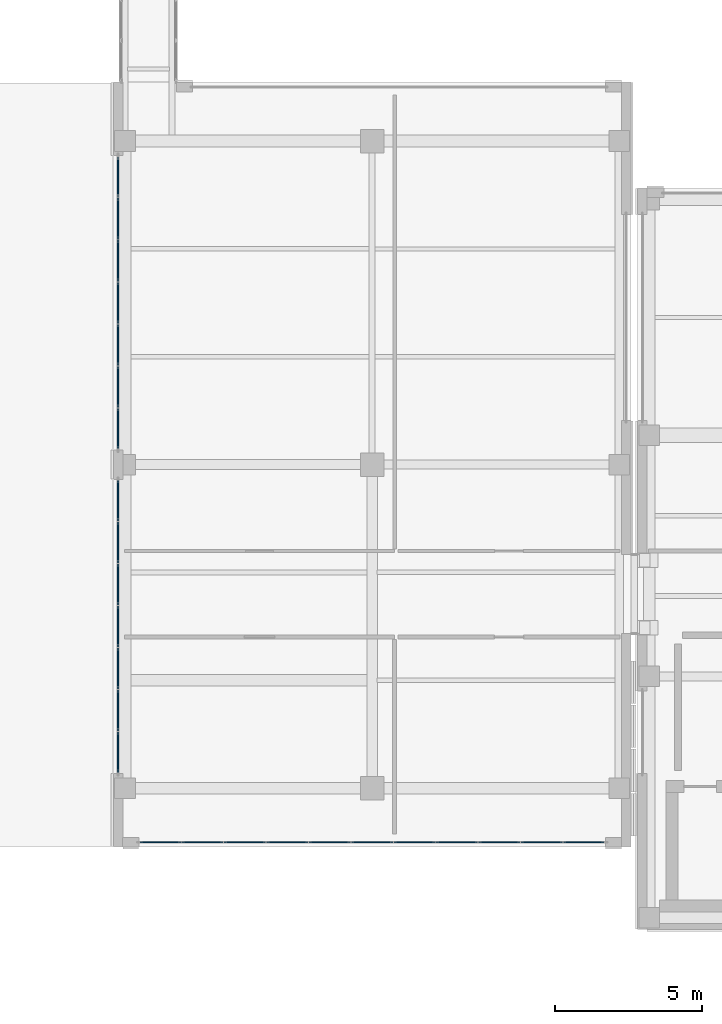
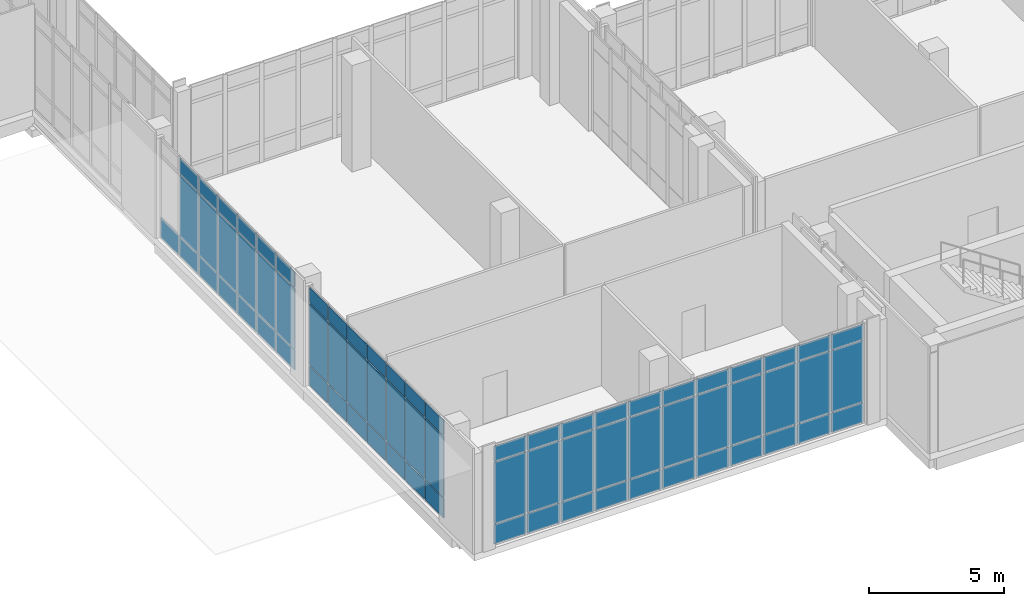
# One storey, part 129 of 189: 73 plates, 3 elements without a shape of their own.
"""IFC4 building model written with IfcOpenShell, lengths in metres."""

from ifc_helpers import new_model, si_unit, direction, frame, origin, origin_2d, place, context, subcontext, project, spatial, rectangle, extrude, material, layer, layer_set, type_object, element, aggregate, save


model = new_model("IFC4")

# Units and contexts
model_context = context("Model", 3, precision=1e-05, world=origin(), true_north=direction((0.0, 1.0)))
body_context = subcontext(model_context, "Body", "Model", "MODEL_VIEW")
ifc_project = project(units=[si_unit("LENGTHUNIT", "METRE"), si_unit("AREAUNIT", "SQUARE_METRE"), si_unit("VOLUMEUNIT", "CUBIC_METRE"), si_unit("PLANEANGLEUNIT", "RADIAN"), si_unit("MASSUNIT", "GRAM", prefix="KILO")], contexts=[model_context])

# Site, building, storey
site_placement = place(None, origin())
site = spatial("IfcSite", under=ifc_project, at=site_placement, CompositionType="ELEMENT")
building_placement = place(site_placement, origin())
building = spatial("IfcBuilding", under=site, at=building_placement, Name="Qalavern Law Courts", CompositionType="ELEMENT")
storey_placement = place(building_placement, frame((0.0, 0.0, 5.39990234375)))
storey = spatial("IfcBuildingStorey", under=building, at=storey_placement, Name="L01", CompositionType="ELEMENT", Elevation=5.39990234375)

# Curtain wall, plates
ifc_material_1 = material(Name="Anodised aluminium and insulated glazing", Category="aluminium")
ifc_layer_1 = layer(ifc_material_1, 0.199951171875)
ifc_layer_set_1 = layer_set([ifc_layer_1], Name="Anodised aluminium and insulated glazing")
curtain_wall_type = type_object("IfcCurtainWallType", Name="ENV-CW-FOYER", PredefinedType="USERDEFINED", material=ifc_layer_set_1)
curtain_wall_1_placement = place(storey_placement, origin())
curtain_wall_1 = element("IfcCurtainWall", 1, at=curtain_wall_1_placement, inside=storey, type_object=curtain_wall_type, Name="V1 unitised curtain wall L01 south 1", ObjectType="UNITISED CURTAIN WALL", PredefinedType="USERDEFINED")
ifc_material_2 = material(Name="Insulated low-E acoustic glazing", Category="glass")
ifc_layer_2 = layer(ifc_material_2, 0.0439453125)
ifc_layer_set_2 = layer_set([ifc_layer_2], Name="Insulated low-E acoustic glazing")
plate_type_1 = type_object("IfcPlateType", Name="ENV-CWP-44", PredefinedType="CURTAIN_PANEL", material=ifc_layer_set_2)
plate_1_placement = place(storey_placement, frame((18.0029296875, 8.16259765625, 0.048095703125), z_axis=(0.0, 0.0, 1.0), x_axis=(1.0, 0.0, 0.0)))
plate_1 = element("IfcPlate", 2, at=plate_1_placement, type_object=plate_type_1, Name="CW-01 panel 1.1", PredefinedType="CURTAIN_PANEL", context=body_context, shape_type="SweptSolid", body=[
    extrude(rectangle(XDim=1.369873046875, YDim=0.0439453125, at=origin_2d()), origin(), (0.0, 0.0, 1.0), 0.8779296875),
])
plate_2_placement = place(storey_placement, frame((18.0029296875, 8.16259765625, 0.97412109375), z_axis=(0.0, 0.0, 1.0), x_axis=(1.0, 0.0, 0.0)))
plate_2 = element("IfcPlate", 3, at=plate_2_placement, type_object=plate_type_1, Name="CW-01 panel 1.2", PredefinedType="CURTAIN_PANEL", context=body_context, shape_type="SweptSolid", body=[
    extrude(rectangle(XDim=1.369873046875, YDim=0.0439453125, at=origin_2d()), origin(), (0.0, 0.0, 1.0), 2.761962890625),
])
plate_3_placement = place(storey_placement, frame((18.0029296875, 8.16259765625, 3.7841796875), z_axis=(0.0, 0.0, 1.0), x_axis=(1.0, 0.0, 0.0)))
plate_3 = element("IfcPlate", 4, at=plate_3_placement, type_object=plate_type_1, Name="CW-01 panel 1.3", PredefinedType="CURTAIN_PANEL", context=body_context, shape_type="SweptSolid", body=[
    extrude(rectangle(XDim=1.369873046875, YDim=0.0439453125, at=origin_2d()), origin(), (0.0, 0.0, 1.0), 0.677978515625),
])
plate_4_placement = place(storey_placement, frame((19.4326171875, 8.16259765625, 0.048095703125), z_axis=(0.0, 0.0, 1.0), x_axis=(1.0, 0.0, 0.0)))
plate_4 = element("IfcPlate", 5, at=plate_4_placement, type_object=plate_type_1, Name="CW-01 panel 2.1", PredefinedType="CURTAIN_PANEL", context=body_context, shape_type="SweptSolid", body=[
    extrude(rectangle(XDim=1.393798828125, YDim=0.0439453125, at=origin_2d()), origin(), (0.0, 0.0, 1.0), 0.8779296875),
])
plate_5_placement = place(storey_placement, frame((19.4326171875, 8.16259765625, 0.97412109375), z_axis=(0.0, 0.0, 1.0), x_axis=(1.0, 0.0, 0.0)))
plate_5 = element("IfcPlate", 6, at=plate_5_placement, type_object=plate_type_1, Name="CW-01 panel 2.2", PredefinedType="CURTAIN_PANEL", context=body_context, shape_type="SweptSolid", body=[
    extrude(rectangle(XDim=1.393798828125, YDim=0.0439453125, at=origin_2d()), origin(), (0.0, 0.0, 1.0), 2.761962890625),
])
plate_6_placement = place(storey_placement, frame((19.4326171875, 8.16259765625, 3.7841796875), z_axis=(0.0, 0.0, 1.0), x_axis=(1.0, 0.0, 0.0)))
plate_6 = element("IfcPlate", 7, at=plate_6_placement, type_object=plate_type_1, Name="CW-01 panel 2.3", PredefinedType="CURTAIN_PANEL", context=body_context, shape_type="SweptSolid", body=[
    extrude(rectangle(XDim=1.393798828125, YDim=0.0439453125, at=origin_2d()), origin(), (0.0, 0.0, 1.0), 0.677978515625),
])
plate_7_placement = place(storey_placement, frame((20.87451171875, 8.16259765625, 0.048095703125), z_axis=(0.0, 0.0, 1.0), x_axis=(1.0, 0.0, 0.0)))
plate_7 = element("IfcPlate", 8, at=plate_7_placement, type_object=plate_type_1, Name="CW-01 panel 3.1", PredefinedType="CURTAIN_PANEL", context=body_context, shape_type="SweptSolid", body=[
    extrude(rectangle(XDim=1.393798828125, YDim=0.0439453125, at=origin_2d()), origin(), (0.0, 0.0, 1.0), 0.8779296875),
])
plate_8_placement = place(storey_placement, frame((20.87451171875, 8.16259765625, 0.97412109375), z_axis=(0.0, 0.0, 1.0), x_axis=(1.0, 0.0, 0.0)))
plate_8 = element("IfcPlate", 9, at=plate_8_placement, type_object=plate_type_1, Name="CW-01 panel 3.2", PredefinedType="CURTAIN_PANEL", context=body_context, shape_type="SweptSolid", body=[
    extrude(rectangle(XDim=1.393798828125, YDim=0.0439453125, at=origin_2d()), origin(), (0.0, 0.0, 1.0), 2.761962890625),
])
plate_9_placement = place(storey_placement, frame((20.87451171875, 8.16259765625, 3.7841796875), z_axis=(0.0, 0.0, 1.0), x_axis=(1.0, 0.0, 0.0)))
plate_9 = element("IfcPlate", 10, at=plate_9_placement, type_object=plate_type_1, Name="CW-01 panel 3.3", PredefinedType="CURTAIN_PANEL", context=body_context, shape_type="SweptSolid", body=[
    extrude(rectangle(XDim=1.393798828125, YDim=0.0439453125, at=origin_2d()), origin(), (0.0, 0.0, 1.0), 0.677978515625),
])
plate_10_placement = place(storey_placement, frame((22.31640625, 8.16259765625, 0.048095703125), z_axis=(0.0, 0.0, 1.0), x_axis=(1.0, 0.0, 0.0)))
plate_10 = element("IfcPlate", 11, at=plate_10_placement, type_object=plate_type_1, Name="CW-01 panel 4.1", PredefinedType="CURTAIN_PANEL", context=body_context, shape_type="SweptSolid", body=[
    extrude(rectangle(XDim=1.393798828125, YDim=0.0439453125, at=origin_2d()), origin(), (0.0, 0.0, 1.0), 0.8779296875),
])
plate_11_placement = place(storey_placement, frame((22.31640625, 8.16259765625, 0.97412109375), z_axis=(0.0, 0.0, 1.0), x_axis=(1.0, 0.0, 0.0)))
plate_11 = element("IfcPlate", 12, at=plate_11_placement, type_object=plate_type_1, Name="CW-01 panel 4.2", PredefinedType="CURTAIN_PANEL", context=body_context, shape_type="SweptSolid", body=[
    extrude(rectangle(XDim=1.393798828125, YDim=0.0439453125, at=origin_2d()), origin(), (0.0, 0.0, 1.0), 2.761962890625),
])
plate_12_placement = place(storey_placement, frame((22.31640625, 8.16259765625, 3.7841796875), z_axis=(0.0, 0.0, 1.0), x_axis=(1.0, 0.0, 0.0)))
plate_12 = element("IfcPlate", 13, at=plate_12_placement, type_object=plate_type_1, Name="CW-01 panel 4.3", PredefinedType="CURTAIN_PANEL", context=body_context, shape_type="SweptSolid", body=[
    extrude(rectangle(XDim=1.393798828125, YDim=0.0439453125, at=origin_2d()), origin(), (0.0, 0.0, 1.0), 0.677978515625),
])
plate_13_placement = place(storey_placement, frame((23.75830078125, 8.16259765625, 0.048095703125), z_axis=(0.0, 0.0, 1.0), x_axis=(1.0, 0.0, 0.0)))
plate_13 = element("IfcPlate", 14, at=plate_13_placement, type_object=plate_type_1, Name="CW-01 panel 5.1", PredefinedType="CURTAIN_PANEL", context=body_context, shape_type="SweptSolid", body=[
    extrude(rectangle(XDim=1.393798828125, YDim=0.0439453125, at=origin_2d()), origin(), (0.0, 0.0, 1.0), 0.8779296875),
])
plate_14_placement = place(storey_placement, frame((23.75830078125, 8.16259765625, 0.97412109375), z_axis=(0.0, 0.0, 1.0), x_axis=(1.0, 0.0, 0.0)))
plate_14 = element("IfcPlate", 15, at=plate_14_placement, type_object=plate_type_1, Name="CW-01 panel 5.2", PredefinedType="CURTAIN_PANEL", context=body_context, shape_type="SweptSolid", body=[
    extrude(rectangle(XDim=1.393798828125, YDim=0.0439453125, at=origin_2d()), origin(), (0.0, 0.0, 1.0), 2.761962890625),
])
plate_15_placement = place(storey_placement, frame((23.75830078125, 8.16259765625, 3.7841796875), z_axis=(0.0, 0.0, 1.0), x_axis=(1.0, 0.0, 0.0)))
plate_15 = element("IfcPlate", 16, at=plate_15_placement, type_object=plate_type_1, Name="CW-01 panel 5.3", PredefinedType="CURTAIN_PANEL", context=body_context, shape_type="SweptSolid", body=[
    extrude(rectangle(XDim=1.393798828125, YDim=0.0439453125, at=origin_2d()), origin(), (0.0, 0.0, 1.0), 0.677978515625),
])
plate_16_placement = place(storey_placement, frame((25.199951171875, 8.16259765625, 0.048095703125), z_axis=(0.0, 0.0, 1.0), x_axis=(1.0, 0.0, 0.0)))
plate_16 = element("IfcPlate", 17, at=plate_16_placement, type_object=plate_type_1, Name="CW-01 panel 6.1", PredefinedType="CURTAIN_PANEL", context=body_context, shape_type="SweptSolid", body=[
    extrude(rectangle(XDim=1.393798828125, YDim=0.0439453125, at=origin_2d()), origin(), (0.0, 0.0, 1.0), 0.8779296875),
])
plate_17_placement = place(storey_placement, frame((25.199951171875, 8.16259765625, 0.97412109375), z_axis=(0.0, 0.0, 1.0), x_axis=(1.0, 0.0, 0.0)))
plate_17 = element("IfcPlate", 18, at=plate_17_placement, type_object=plate_type_1, Name="CW-01 panel 6.2", PredefinedType="CURTAIN_PANEL", context=body_context, shape_type="SweptSolid", body=[
    extrude(rectangle(XDim=1.393798828125, YDim=0.0439453125, at=origin_2d()), origin(), (0.0, 0.0, 1.0), 2.761962890625),
])
plate_18_placement = place(storey_placement, frame((25.199951171875, 8.16259765625, 3.7841796875), z_axis=(0.0, 0.0, 1.0), x_axis=(1.0, 0.0, 0.0)))
plate_18 = element("IfcPlate", 19, at=plate_18_placement, type_object=plate_type_1, Name="CW-01 panel 6.3", PredefinedType="CURTAIN_PANEL", context=body_context, shape_type="SweptSolid", body=[
    extrude(rectangle(XDim=1.393798828125, YDim=0.0439453125, at=origin_2d()), origin(), (0.0, 0.0, 1.0), 0.677978515625),
])
plate_19_placement = place(storey_placement, frame((26.641845703125, 8.16259765625, 0.048095703125), z_axis=(0.0, 0.0, 1.0), x_axis=(1.0, 0.0, 0.0)))
plate_19 = element("IfcPlate", 20, at=plate_19_placement, type_object=plate_type_1, Name="CW-01 panel 7.1", PredefinedType="CURTAIN_PANEL", context=body_context, shape_type="SweptSolid", body=[
    extrude(rectangle(XDim=1.393798828125, YDim=0.0439453125, at=origin_2d()), origin(), (0.0, 0.0, 1.0), 0.8779296875),
])
plate_20_placement = place(storey_placement, frame((26.641845703125, 8.16259765625, 0.97412109375), z_axis=(0.0, 0.0, 1.0), x_axis=(1.0, 0.0, 0.0)))
plate_20 = element("IfcPlate", 21, at=plate_20_placement, type_object=plate_type_1, Name="CW-01 panel 7.2", PredefinedType="CURTAIN_PANEL", context=body_context, shape_type="SweptSolid", body=[
    extrude(rectangle(XDim=1.393798828125, YDim=0.0439453125, at=origin_2d()), origin(), (0.0, 0.0, 1.0), 2.761962890625),
])
plate_21_placement = place(storey_placement, frame((26.641845703125, 8.16259765625, 3.7841796875), z_axis=(0.0, 0.0, 1.0), x_axis=(1.0, 0.0, 0.0)))
plate_21 = element("IfcPlate", 22, at=plate_21_placement, type_object=plate_type_1, Name="CW-01 panel 7.3", PredefinedType="CURTAIN_PANEL", context=body_context, shape_type="SweptSolid", body=[
    extrude(rectangle(XDim=1.393798828125, YDim=0.0439453125, at=origin_2d()), origin(), (0.0, 0.0, 1.0), 0.677978515625),
])
plate_22_placement = place(storey_placement, frame((28.083740234375, 8.16259765625, 0.048095703125), z_axis=(0.0, 0.0, 1.0), x_axis=(1.0, 0.0, 0.0)))
plate_22 = element("IfcPlate", 23, at=plate_22_placement, type_object=plate_type_1, Name="CW-01 panel 8.1", PredefinedType="CURTAIN_PANEL", context=body_context, shape_type="SweptSolid", body=[
    extrude(rectangle(XDim=1.393798828125, YDim=0.0439453125, at=origin_2d()), origin(), (0.0, 0.0, 1.0), 0.8779296875),
])
plate_23_placement = place(storey_placement, frame((28.083740234375, 8.16259765625, 0.97412109375), z_axis=(0.0, 0.0, 1.0), x_axis=(1.0, 0.0, 0.0)))
plate_23 = element("IfcPlate", 24, at=plate_23_placement, type_object=plate_type_1, Name="CW-01 panel 8.2", PredefinedType="CURTAIN_PANEL", context=body_context, shape_type="SweptSolid", body=[
    extrude(rectangle(XDim=1.393798828125, YDim=0.0439453125, at=origin_2d()), origin(), (0.0, 0.0, 1.0), 2.761962890625),
])
plate_24_placement = place(storey_placement, frame((28.083740234375, 8.16259765625, 3.7841796875), z_axis=(0.0, 0.0, 1.0), x_axis=(1.0, 0.0, 0.0)))
plate_24 = element("IfcPlate", 25, at=plate_24_placement, type_object=plate_type_1, Name="CW-01 panel 8.3", PredefinedType="CURTAIN_PANEL", context=body_context, shape_type="SweptSolid", body=[
    extrude(rectangle(XDim=1.393798828125, YDim=0.0439453125, at=origin_2d()), origin(), (0.0, 0.0, 1.0), 0.677978515625),
])
plate_25_placement = place(storey_placement, frame((29.525390625, 8.16259765625, 0.048095703125), z_axis=(0.0, 0.0, 1.0), x_axis=(1.0, 0.0, 0.0)))
plate_25 = element("IfcPlate", 26, at=plate_25_placement, type_object=plate_type_1, Name="CW-01 panel 9.1", PredefinedType="CURTAIN_PANEL", context=body_context, shape_type="SweptSolid", body=[
    extrude(rectangle(XDim=1.393798828125, YDim=0.0439453125, at=origin_2d()), origin(), (0.0, 0.0, 1.0), 0.8779296875),
])
plate_26_placement = place(storey_placement, frame((29.525390625, 8.16259765625, 0.97412109375), z_axis=(0.0, 0.0, 1.0), x_axis=(1.0, 0.0, 0.0)))
plate_26 = element("IfcPlate", 27, at=plate_26_placement, type_object=plate_type_1, Name="CW-01 panel 9.2", PredefinedType="CURTAIN_PANEL", context=body_context, shape_type="SweptSolid", body=[
    extrude(rectangle(XDim=1.393798828125, YDim=0.0439453125, at=origin_2d()), origin(), (0.0, 0.0, 1.0), 2.761962890625),
])
plate_27_placement = place(storey_placement, frame((29.525390625, 8.16259765625, 3.7841796875), z_axis=(0.0, 0.0, 1.0), x_axis=(1.0, 0.0, 0.0)))
plate_27 = element("IfcPlate", 28, at=plate_27_placement, type_object=plate_type_1, Name="CW-01 panel 9.3", PredefinedType="CURTAIN_PANEL", context=body_context, shape_type="SweptSolid", body=[
    extrude(rectangle(XDim=1.393798828125, YDim=0.0439453125, at=origin_2d()), origin(), (0.0, 0.0, 1.0), 0.677978515625),
])
plate_28_placement = place(storey_placement, frame((30.96728515625, 8.16259765625, 0.048095703125), z_axis=(0.0, 0.0, 1.0), x_axis=(1.0, 0.0, 0.0)))
plate_28 = element("IfcPlate", 29, at=plate_28_placement, type_object=plate_type_1, Name="CW-01 panel 10.1", PredefinedType="CURTAIN_PANEL", context=body_context, shape_type="SweptSolid", body=[
    extrude(rectangle(XDim=1.393798828125, YDim=0.0439453125, at=origin_2d()), origin(), (0.0, 0.0, 1.0), 0.8779296875),
])
plate_29_placement = place(storey_placement, frame((30.96728515625, 8.16259765625, 0.97412109375), z_axis=(0.0, 0.0, 1.0), x_axis=(1.0, 0.0, 0.0)))
plate_29 = element("IfcPlate", 30, at=plate_29_placement, type_object=plate_type_1, Name="CW-01 panel 10.2", PredefinedType="CURTAIN_PANEL", context=body_context, shape_type="SweptSolid", body=[
    extrude(rectangle(XDim=1.393798828125, YDim=0.0439453125, at=origin_2d()), origin(), (0.0, 0.0, 1.0), 2.761962890625),
])
plate_30_placement = place(storey_placement, frame((30.96728515625, 8.16259765625, 3.7841796875), z_axis=(0.0, 0.0, 1.0), x_axis=(1.0, 0.0, 0.0)))
plate_30 = element("IfcPlate", 31, at=plate_30_placement, type_object=plate_type_1, Name="CW-01 panel 10.3", PredefinedType="CURTAIN_PANEL", context=body_context, shape_type="SweptSolid", body=[
    extrude(rectangle(XDim=1.393798828125, YDim=0.0439453125, at=origin_2d()), origin(), (0.0, 0.0, 1.0), 0.677978515625),
])
plate_31_placement = place(storey_placement, frame((32.39697265625, 8.16259765625, 0.048095703125), z_axis=(0.0, 0.0, 1.0), x_axis=(1.0, 0.0, 0.0)))
plate_31 = element("IfcPlate", 32, at=plate_31_placement, type_object=plate_type_1, Name="CW-01 panel 11.1", PredefinedType="CURTAIN_PANEL", context=body_context, shape_type="SweptSolid", body=[
    extrude(rectangle(XDim=1.369873046875, YDim=0.0439453125, at=origin_2d()), origin(), (0.0, 0.0, 1.0), 0.8779296875),
])
plate_32_placement = place(storey_placement, frame((32.39697265625, 8.16259765625, 0.97412109375), z_axis=(0.0, 0.0, 1.0), x_axis=(1.0, 0.0, 0.0)))
plate_32 = element("IfcPlate", 33, at=plate_32_placement, type_object=plate_type_1, Name="CW-01 panel 11.2", PredefinedType="CURTAIN_PANEL", context=body_context, shape_type="SweptSolid", body=[
    extrude(rectangle(XDim=1.369873046875, YDim=0.0439453125, at=origin_2d()), origin(), (0.0, 0.0, 1.0), 2.761962890625),
])
plate_33_placement = place(storey_placement, frame((32.39697265625, 8.16259765625, 3.7841796875), z_axis=(0.0, 0.0, 1.0), x_axis=(1.0, 0.0, 0.0)))
plate_33 = element("IfcPlate", 34, at=plate_33_placement, type_object=plate_type_1, Name="CW-01 panel 11.3", PredefinedType="CURTAIN_PANEL", context=body_context, shape_type="SweptSolid", body=[
    extrude(rectangle(XDim=1.369873046875, YDim=0.0439453125, at=origin_2d()), origin(), (0.0, 0.0, 1.0), 0.677978515625),
])
aggregate(curtain_wall_1, [plate_1, plate_2, plate_3, plate_4, plate_5, plate_6, plate_7, plate_8, plate_9, plate_10, plate_11, plate_12, plate_13, plate_14, plate_15, plate_16, plate_17, plate_18, plate_19, plate_20, plate_21, plate_22, plate_23, plate_24, plate_25, plate_26, plate_27, plate_28, plate_29, plate_30, plate_31, plate_32, plate_33])

curtain_wall_2_placement = place(storey_placement, origin())
curtain_wall_2 = element("IfcCurtainWall", 35, at=curtain_wall_2_placement, inside=storey, type_object=curtain_wall_type, Name="V1 unitised curtain wall L01 west 1", ObjectType="UNITISED CURTAIN WALL", PredefinedType="USERDEFINED")
plate_34_placement = place(storey_placement, frame((16.5625, 30.773681640625, 0.048095703125), z_axis=(0.0, 0.0, 1.0), x_axis=(0.0, -1.0, 0.0)))
plate_34 = element("IfcPlate", 36, at=plate_34_placement, type_object=plate_type_1, Name="CW-01 panel 1.1", PredefinedType="CURTAIN_PANEL", context=body_context, shape_type="SweptSolid", body=[
    extrude(rectangle(XDim=1.356689453125, YDim=0.0439453125, at=origin_2d()), origin(), (0.0, 0.0, 1.0), 0.8779296875),
])
plate_35_placement = place(storey_placement, frame((16.5625, 29.357177734375, 0.048095703125), z_axis=(0.0, 0.0, 1.0), x_axis=(0.0, -1.0, 0.0)))
plate_35 = element("IfcPlate", 37, at=plate_35_placement, type_object=plate_type_1, Name="CW-01 panel 2.1", PredefinedType="CURTAIN_PANEL", context=body_context, shape_type="SweptSolid", body=[
    extrude(rectangle(XDim=1.380615234375, YDim=0.0439453125, at=origin_2d()), origin(), (0.0, 0.0, 1.0), 0.8779296875),
])
plate_36_placement = place(storey_placement, frame((16.5625, 29.357177734375, 0.97412109375), z_axis=(0.0, 0.0, 1.0), x_axis=(0.0, -1.0, 0.0)))
plate_36 = element("IfcPlate", 38, at=plate_36_placement, type_object=plate_type_1, Name="CW-01 panel 2.2", PredefinedType="CURTAIN_PANEL", context=body_context, shape_type="SweptSolid", body=[
    extrude(rectangle(XDim=1.380615234375, YDim=0.0439453125, at=origin_2d()), origin(), (0.0, 0.0, 1.0), 2.761962890625),
])
plate_37_placement = place(storey_placement, frame((16.5625, 29.357177734375, 3.7841796875), z_axis=(0.0, 0.0, 1.0), x_axis=(0.0, -1.0, 0.0)))
plate_37 = element("IfcPlate", 39, at=plate_37_placement, type_object=plate_type_1, Name="CW-01 panel 2.3", PredefinedType="CURTAIN_PANEL", context=body_context, shape_type="SweptSolid", body=[
    extrude(rectangle(XDim=1.380615234375, YDim=0.0439453125, at=origin_2d()), origin(), (0.0, 0.0, 1.0), 0.677978515625),
])
plate_38_placement = place(storey_placement, frame((16.5625, 27.928466796875, 0.048095703125), z_axis=(0.0, 0.0, 1.0), x_axis=(0.0, -1.0, 0.0)))
plate_38 = element("IfcPlate", 40, at=plate_38_placement, type_object=plate_type_1, Name="CW-01 panel 3.1", PredefinedType="CURTAIN_PANEL", context=body_context, shape_type="SweptSolid", body=[
    extrude(rectangle(XDim=1.380615234375, YDim=0.0439453125, at=origin_2d()), origin(), (0.0, 0.0, 1.0), 0.8779296875),
])
plate_39_placement = place(storey_placement, frame((16.5625, 27.928466796875, 0.97412109375), z_axis=(0.0, 0.0, 1.0), x_axis=(0.0, -1.0, 0.0)))
plate_39 = element("IfcPlate", 41, at=plate_39_placement, type_object=plate_type_1, Name="CW-01 panel 3.2", PredefinedType="CURTAIN_PANEL", context=body_context, shape_type="SweptSolid", body=[
    extrude(rectangle(XDim=1.380615234375, YDim=0.0439453125, at=origin_2d()), origin(), (0.0, 0.0, 1.0), 2.761962890625),
])
plate_40_placement = place(storey_placement, frame((16.5625, 27.928466796875, 3.7841796875), z_axis=(0.0, 0.0, 1.0), x_axis=(0.0, -1.0, 0.0)))
plate_40 = element("IfcPlate", 42, at=plate_40_placement, type_object=plate_type_1, Name="CW-01 panel 3.3", PredefinedType="CURTAIN_PANEL", context=body_context, shape_type="SweptSolid", body=[
    extrude(rectangle(XDim=1.380615234375, YDim=0.0439453125, at=origin_2d()), origin(), (0.0, 0.0, 1.0), 0.677978515625),
])
plate_41_placement = place(storey_placement, frame((16.5625, 26.5, 0.048095703125), z_axis=(0.0, 0.0, 1.0), x_axis=(0.0, -1.0, 0.0)))
plate_41 = element("IfcPlate", 43, at=plate_41_placement, type_object=plate_type_1, Name="CW-01 panel 4.1", PredefinedType="CURTAIN_PANEL", context=body_context, shape_type="SweptSolid", body=[
    extrude(rectangle(XDim=1.380615234375, YDim=0.0439453125, at=origin_2d()), origin(), (0.0, 0.0, 1.0), 0.8779296875),
])
plate_42_placement = place(storey_placement, frame((16.5625, 26.5, 0.97412109375), z_axis=(0.0, 0.0, 1.0), x_axis=(0.0, -1.0, 0.0)))
plate_42 = element("IfcPlate", 44, at=plate_42_placement, type_object=plate_type_1, Name="CW-01 panel 4.2", PredefinedType="CURTAIN_PANEL", context=body_context, shape_type="SweptSolid", body=[
    extrude(rectangle(XDim=1.380615234375, YDim=0.0439453125, at=origin_2d()), origin(), (0.0, 0.0, 1.0), 2.761962890625),
])
plate_43_placement = place(storey_placement, frame((16.5625, 26.5, 3.7841796875), z_axis=(0.0, 0.0, 1.0), x_axis=(0.0, -1.0, 0.0)))
plate_43 = element("IfcPlate", 45, at=plate_43_placement, type_object=plate_type_1, Name="CW-01 panel 4.3", PredefinedType="CURTAIN_PANEL", context=body_context, shape_type="SweptSolid", body=[
    extrude(rectangle(XDim=1.380615234375, YDim=0.0439453125, at=origin_2d()), origin(), (0.0, 0.0, 1.0), 0.677978515625),
])
plate_44_placement = place(storey_placement, frame((16.5625, 25.071533203125, 0.048095703125), z_axis=(0.0, 0.0, 1.0), x_axis=(0.0, -1.0, 0.0)))
plate_44 = element("IfcPlate", 46, at=plate_44_placement, type_object=plate_type_1, Name="CW-01 panel 5.1", PredefinedType="CURTAIN_PANEL", context=body_context, shape_type="SweptSolid", body=[
    extrude(rectangle(XDim=1.380615234375, YDim=0.0439453125, at=origin_2d()), origin(), (0.0, 0.0, 1.0), 0.8779296875),
])
plate_45_placement = place(storey_placement, frame((16.5625, 25.071533203125, 0.97412109375), z_axis=(0.0, 0.0, 1.0), x_axis=(0.0, -1.0, 0.0)))
plate_45 = element("IfcPlate", 47, at=plate_45_placement, type_object=plate_type_1, Name="CW-01 panel 5.2", PredefinedType="CURTAIN_PANEL", context=body_context, shape_type="SweptSolid", body=[
    extrude(rectangle(XDim=1.380615234375, YDim=0.0439453125, at=origin_2d()), origin(), (0.0, 0.0, 1.0), 2.761962890625),
])
plate_46_placement = place(storey_placement, frame((16.5625, 25.071533203125, 3.7841796875), z_axis=(0.0, 0.0, 1.0), x_axis=(0.0, -1.0, 0.0)))
plate_46 = element("IfcPlate", 48, at=plate_46_placement, type_object=plate_type_1, Name="CW-01 panel 5.3", PredefinedType="CURTAIN_PANEL", context=body_context, shape_type="SweptSolid", body=[
    extrude(rectangle(XDim=1.380615234375, YDim=0.0439453125, at=origin_2d()), origin(), (0.0, 0.0, 1.0), 0.677978515625),
])
plate_47_placement = place(storey_placement, frame((16.5625, 23.642822265625, 0.048095703125), z_axis=(0.0, 0.0, 1.0), x_axis=(0.0, -1.0, 0.0)))
plate_47 = element("IfcPlate", 49, at=plate_47_placement, type_object=plate_type_1, Name="CW-01 panel 6.1", PredefinedType="CURTAIN_PANEL", context=body_context, shape_type="SweptSolid", body=[
    extrude(rectangle(XDim=1.380615234375, YDim=0.0439453125, at=origin_2d()), origin(), (0.0, 0.0, 1.0), 0.8779296875),
])
plate_48_placement = place(storey_placement, frame((16.5625, 23.642822265625, 0.97412109375), z_axis=(0.0, 0.0, 1.0), x_axis=(0.0, -1.0, 0.0)))
plate_48 = element("IfcPlate", 50, at=plate_48_placement, type_object=plate_type_1, Name="CW-01 panel 6.2", PredefinedType="CURTAIN_PANEL", context=body_context, shape_type="SweptSolid", body=[
    extrude(rectangle(XDim=1.380615234375, YDim=0.0439453125, at=origin_2d()), origin(), (0.0, 0.0, 1.0), 2.761962890625),
])
plate_49_placement = place(storey_placement, frame((16.5625, 23.642822265625, 3.7841796875), z_axis=(0.0, 0.0, 1.0), x_axis=(0.0, -1.0, 0.0)))
plate_49 = element("IfcPlate", 51, at=plate_49_placement, type_object=plate_type_1, Name="CW-01 panel 6.3", PredefinedType="CURTAIN_PANEL", context=body_context, shape_type="SweptSolid", body=[
    extrude(rectangle(XDim=1.380615234375, YDim=0.0439453125, at=origin_2d()), origin(), (0.0, 0.0, 1.0), 0.677978515625),
])
plate_50_placement = place(storey_placement, frame((16.5625, 22.226318359375, 0.048095703125), z_axis=(0.0, 0.0, 1.0), x_axis=(0.0, -1.0, 0.0)))
plate_50 = element("IfcPlate", 52, at=plate_50_placement, type_object=plate_type_1, Name="CW-01 panel 7.1", PredefinedType="CURTAIN_PANEL", context=body_context, shape_type="SweptSolid", body=[
    extrude(rectangle(XDim=1.356689453125, YDim=0.0439453125, at=origin_2d()), origin(), (0.0, 0.0, 1.0), 0.8779296875),
])
plate_51_placement = place(storey_placement, frame((16.5625, 22.226318359375, 0.97412109375), z_axis=(0.0, 0.0, 1.0), x_axis=(0.0, -1.0, 0.0)))
plate_51 = element("IfcPlate", 53, at=plate_51_placement, type_object=plate_type_1, Name="CW-01 panel 7.2", PredefinedType="CURTAIN_PANEL", context=body_context, shape_type="SweptSolid", body=[
    extrude(rectangle(XDim=1.356689453125, YDim=0.0439453125, at=origin_2d()), origin(), (0.0, 0.0, 1.0), 2.761962890625),
])
plate_52_placement = place(storey_placement, frame((16.5625, 22.226318359375, 3.7841796875), z_axis=(0.0, 0.0, 1.0), x_axis=(0.0, -1.0, 0.0)))
plate_52 = element("IfcPlate", 54, at=plate_52_placement, type_object=plate_type_1, Name="CW-01 panel 7.3", PredefinedType="CURTAIN_PANEL", context=body_context, shape_type="SweptSolid", body=[
    extrude(rectangle(XDim=1.356689453125, YDim=0.0439453125, at=origin_2d()), origin(), (0.0, 0.0, 1.0), 0.677978515625),
])
aggregate(curtain_wall_2, [plate_34, plate_35, plate_36, plate_37, plate_38, plate_39, plate_40, plate_41, plate_42, plate_43, plate_44, plate_45, plate_46, plate_47, plate_48, plate_49, plate_50, plate_51, plate_52])

curtain_wall_3_placement = place(storey_placement, origin())
curtain_wall_3 = element("IfcCurtainWall", 55, at=curtain_wall_3_placement, inside=storey, type_object=curtain_wall_type, Name="V1 unitised curtain wall L01 west 2", ObjectType="UNITISED CURTAIN WALL", PredefinedType="USERDEFINED")
ifc_layer_3 = layer(ifc_material_2, 0.048095703125)
ifc_layer_set_3 = layer_set([ifc_layer_3], Name="Insulated low-E acoustic glazing")
plate_type_2 = type_object("IfcPlateType", Name="ENV-CWP-48", PredefinedType="CURTAIN_PANEL", material=ifc_layer_set_3)
plate_53_placement = place(storey_placement, frame((16.5625, 19.773681640625, 0.048095703125), z_axis=(0.0, 0.0, 1.0), x_axis=(0.0, -1.0, 0.0)))
plate_53 = element("IfcPlate", 56, at=plate_53_placement, type_object=plate_type_2, Name="CW-01 panel 1.1", PredefinedType="CURTAIN_PANEL", context=body_context, shape_type="SweptSolid", body=[
    extrude(rectangle(XDim=1.356689453125, YDim=0.048095703125, at=origin_2d()), origin(), (0.0, 0.0, 1.0), 0.8779296875),
])
plate_54_placement = place(storey_placement, frame((16.5625, 19.773681640625, 0.97412109375), z_axis=(0.0, 0.0, 1.0), x_axis=(0.0, -1.0, 0.0)))
plate_54 = element("IfcPlate", 57, at=plate_54_placement, type_object=plate_type_2, Name="CW-01 panel 1.2", PredefinedType="CURTAIN_PANEL", context=body_context, shape_type="SweptSolid", body=[
    extrude(rectangle(XDim=1.356689453125, YDim=0.048095703125, at=origin_2d()), origin(), (0.0, 0.0, 1.0), 2.761962890625),
])
plate_55_placement = place(storey_placement, frame((16.5625, 19.773681640625, 3.7841796875), z_axis=(0.0, 0.0, 1.0), x_axis=(0.0, -1.0, 0.0)))
plate_55 = element("IfcPlate", 58, at=plate_55_placement, type_object=plate_type_2, Name="CW-01 panel 1.3", PredefinedType="CURTAIN_PANEL", context=body_context, shape_type="SweptSolid", body=[
    extrude(rectangle(XDim=1.356689453125, YDim=0.048095703125, at=origin_2d()), origin(), (0.0, 0.0, 1.0), 0.677978515625),
])
plate_56_placement = place(storey_placement, frame((16.5625, 18.357177734375, 0.048095703125), z_axis=(0.0, 0.0, 1.0), x_axis=(0.0, -1.0, 0.0)))
plate_56 = element("IfcPlate", 59, at=plate_56_placement, type_object=plate_type_2, Name="CW-01 panel 2.1", PredefinedType="CURTAIN_PANEL", context=body_context, shape_type="SweptSolid", body=[
    extrude(rectangle(XDim=1.380615234375, YDim=0.048095703125, at=origin_2d()), origin(), (0.0, 0.0, 1.0), 0.8779296875),
])
plate_57_placement = place(storey_placement, frame((16.5625, 18.357177734375, 0.97412109375), z_axis=(0.0, 0.0, 1.0), x_axis=(0.0, -1.0, 0.0)))
plate_57 = element("IfcPlate", 60, at=plate_57_placement, type_object=plate_type_2, Name="CW-01 panel 2.2", PredefinedType="CURTAIN_PANEL", context=body_context, shape_type="SweptSolid", body=[
    extrude(rectangle(XDim=1.380615234375, YDim=0.048095703125, at=origin_2d()), origin(), (0.0, 0.0, 1.0), 2.761962890625),
])
plate_58_placement = place(storey_placement, frame((16.5625, 18.357177734375, 3.7841796875), z_axis=(0.0, 0.0, 1.0), x_axis=(0.0, -1.0, 0.0)))
plate_58 = element("IfcPlate", 61, at=plate_58_placement, type_object=plate_type_2, Name="CW-01 panel 2.3", PredefinedType="CURTAIN_PANEL", context=body_context, shape_type="SweptSolid", body=[
    extrude(rectangle(XDim=1.380615234375, YDim=0.048095703125, at=origin_2d()), origin(), (0.0, 0.0, 1.0), 0.677978515625),
])
plate_59_placement = place(storey_placement, frame((16.5625, 16.928466796875, 0.048095703125), z_axis=(0.0, 0.0, 1.0), x_axis=(0.0, -1.0, 0.0)))
plate_59 = element("IfcPlate", 62, at=plate_59_placement, type_object=plate_type_2, Name="CW-01 panel 3.1", PredefinedType="CURTAIN_PANEL", context=body_context, shape_type="SweptSolid", body=[
    extrude(rectangle(XDim=1.380615234375, YDim=0.048095703125, at=origin_2d()), origin(), (0.0, 0.0, 1.0), 0.8779296875),
])
plate_60_placement = place(storey_placement, frame((16.5625, 16.928466796875, 0.97412109375), z_axis=(0.0, 0.0, 1.0), x_axis=(0.0, -1.0, 0.0)))
plate_60 = element("IfcPlate", 63, at=plate_60_placement, type_object=plate_type_2, Name="CW-01 panel 3.2", PredefinedType="CURTAIN_PANEL", context=body_context, shape_type="SweptSolid", body=[
    extrude(rectangle(XDim=1.380615234375, YDim=0.048095703125, at=origin_2d()), origin(), (0.0, 0.0, 1.0), 2.761962890625),
])
plate_61_placement = place(storey_placement, frame((16.5625, 16.928466796875, 3.7841796875), z_axis=(0.0, 0.0, 1.0), x_axis=(0.0, -1.0, 0.0)))
plate_61 = element("IfcPlate", 64, at=plate_61_placement, type_object=plate_type_2, Name="CW-01 panel 3.3", PredefinedType="CURTAIN_PANEL", context=body_context, shape_type="SweptSolid", body=[
    extrude(rectangle(XDim=1.380615234375, YDim=0.048095703125, at=origin_2d()), origin(), (0.0, 0.0, 1.0), 0.677978515625),
])
plate_62_placement = place(storey_placement, frame((16.5625, 15.5, 0.048095703125), z_axis=(0.0, 0.0, 1.0), x_axis=(0.0, -1.0, 0.0)))
plate_62 = element("IfcPlate", 65, at=plate_62_placement, type_object=plate_type_2, Name="CW-01 panel 4.1", PredefinedType="CURTAIN_PANEL", context=body_context, shape_type="SweptSolid", body=[
    extrude(rectangle(XDim=1.380615234375, YDim=0.048095703125, at=origin_2d()), origin(), (0.0, 0.0, 1.0), 0.8779296875),
])
plate_63_placement = place(storey_placement, frame((16.5625, 15.5, 0.97412109375), z_axis=(0.0, 0.0, 1.0), x_axis=(0.0, -1.0, 0.0)))
plate_63 = element("IfcPlate", 66, at=plate_63_placement, type_object=plate_type_2, Name="CW-01 panel 4.2", PredefinedType="CURTAIN_PANEL", context=body_context, shape_type="SweptSolid", body=[
    extrude(rectangle(XDim=1.380615234375, YDim=0.048095703125, at=origin_2d()), origin(), (0.0, 0.0, 1.0), 2.761962890625),
])
plate_64_placement = place(storey_placement, frame((16.5625, 15.5, 3.7841796875), z_axis=(0.0, 0.0, 1.0), x_axis=(0.0, -1.0, 0.0)))
plate_64 = element("IfcPlate", 67, at=plate_64_placement, type_object=plate_type_2, Name="CW-01 panel 4.3", PredefinedType="CURTAIN_PANEL", context=body_context, shape_type="SweptSolid", body=[
    extrude(rectangle(XDim=1.380615234375, YDim=0.048095703125, at=origin_2d()), origin(), (0.0, 0.0, 1.0), 0.677978515625),
])
plate_65_placement = place(storey_placement, frame((16.5625, 14.071533203125, 0.048095703125), z_axis=(0.0, 0.0, 1.0), x_axis=(0.0, -1.0, 0.0)))
plate_65 = element("IfcPlate", 68, at=plate_65_placement, type_object=plate_type_2, Name="CW-01 panel 5.1", PredefinedType="CURTAIN_PANEL", context=body_context, shape_type="SweptSolid", body=[
    extrude(rectangle(XDim=1.380615234375, YDim=0.048095703125, at=origin_2d()), origin(), (0.0, 0.0, 1.0), 0.8779296875),
])
plate_66_placement = place(storey_placement, frame((16.5625, 14.071533203125, 0.97412109375), z_axis=(0.0, 0.0, 1.0), x_axis=(0.0, -1.0, 0.0)))
plate_66 = element("IfcPlate", 69, at=plate_66_placement, type_object=plate_type_2, Name="CW-01 panel 5.2", PredefinedType="CURTAIN_PANEL", context=body_context, shape_type="SweptSolid", body=[
    extrude(rectangle(XDim=1.380615234375, YDim=0.048095703125, at=origin_2d()), origin(), (0.0, 0.0, 1.0), 2.761962890625),
])
plate_67_placement = place(storey_placement, frame((16.5625, 14.071533203125, 3.7841796875), z_axis=(0.0, 0.0, 1.0), x_axis=(0.0, -1.0, 0.0)))
plate_67 = element("IfcPlate", 70, at=plate_67_placement, type_object=plate_type_2, Name="CW-01 panel 5.3", PredefinedType="CURTAIN_PANEL", context=body_context, shape_type="SweptSolid", body=[
    extrude(rectangle(XDim=1.380615234375, YDim=0.048095703125, at=origin_2d()), origin(), (0.0, 0.0, 1.0), 0.677978515625),
])
plate_68_placement = place(storey_placement, frame((16.5625, 12.642822265625, 0.048095703125), z_axis=(0.0, 0.0, 1.0), x_axis=(0.0, -1.0, 0.0)))
plate_68 = element("IfcPlate", 71, at=plate_68_placement, type_object=plate_type_2, Name="CW-01 panel 6.1", PredefinedType="CURTAIN_PANEL", context=body_context, shape_type="SweptSolid", body=[
    extrude(rectangle(XDim=1.380615234375, YDim=0.048095703125, at=origin_2d()), origin(), (0.0, 0.0, 1.0), 0.8779296875),
])
plate_69_placement = place(storey_placement, frame((16.5625, 12.642822265625, 0.97412109375), z_axis=(0.0, 0.0, 1.0), x_axis=(0.0, -1.0, 0.0)))
plate_69 = element("IfcPlate", 72, at=plate_69_placement, type_object=plate_type_2, Name="CW-01 panel 6.2", PredefinedType="CURTAIN_PANEL", context=body_context, shape_type="SweptSolid", body=[
    extrude(rectangle(XDim=1.380615234375, YDim=0.048095703125, at=origin_2d()), origin(), (0.0, 0.0, 1.0), 2.761962890625),
])
plate_70_placement = place(storey_placement, frame((16.5625, 12.642822265625, 3.7841796875), z_axis=(0.0, 0.0, 1.0), x_axis=(0.0, -1.0, 0.0)))
plate_70 = element("IfcPlate", 73, at=plate_70_placement, type_object=plate_type_2, Name="CW-01 panel 6.3", PredefinedType="CURTAIN_PANEL", context=body_context, shape_type="SweptSolid", body=[
    extrude(rectangle(XDim=1.380615234375, YDim=0.048095703125, at=origin_2d()), origin(), (0.0, 0.0, 1.0), 0.677978515625),
])
plate_71_placement = place(storey_placement, frame((16.5625, 11.226318359375, 0.048095703125), z_axis=(0.0, 0.0, 1.0), x_axis=(0.0, -1.0, 0.0)))
plate_71 = element("IfcPlate", 74, at=plate_71_placement, type_object=plate_type_2, Name="CW-01 panel 7.1", PredefinedType="CURTAIN_PANEL", context=body_context, shape_type="SweptSolid", body=[
    extrude(rectangle(XDim=1.356689453125, YDim=0.048095703125, at=origin_2d()), origin(), (0.0, 0.0, 1.0), 0.8779296875),
])
plate_72_placement = place(storey_placement, frame((16.5625, 11.226318359375, 0.97412109375), z_axis=(0.0, 0.0, 1.0), x_axis=(0.0, -1.0, 0.0)))
plate_72 = element("IfcPlate", 75, at=plate_72_placement, type_object=plate_type_2, Name="CW-01 panel 7.2", PredefinedType="CURTAIN_PANEL", context=body_context, shape_type="SweptSolid", body=[
    extrude(rectangle(XDim=1.356689453125, YDim=0.048095703125, at=origin_2d()), origin(), (0.0, 0.0, 1.0), 2.761962890625),
])
plate_73_placement = place(storey_placement, frame((16.5625, 11.226318359375, 3.7841796875), z_axis=(0.0, 0.0, 1.0), x_axis=(0.0, -1.0, 0.0)))
plate_73 = element("IfcPlate", 76, at=plate_73_placement, type_object=plate_type_2, Name="CW-01 panel 7.3", PredefinedType="CURTAIN_PANEL", context=body_context, shape_type="SweptSolid", body=[
    extrude(rectangle(XDim=1.356689453125, YDim=0.048095703125, at=origin_2d()), origin(), (0.0, 0.0, 1.0), 0.677978515625),
])
aggregate(curtain_wall_3, [plate_53, plate_54, plate_55, plate_56, plate_57, plate_58, plate_59, plate_60, plate_61, plate_62, plate_63, plate_64, plate_65, plate_66, plate_67, plate_68, plate_69, plate_70, plate_71, plate_72, plate_73])

save(model, "model.ifc")
